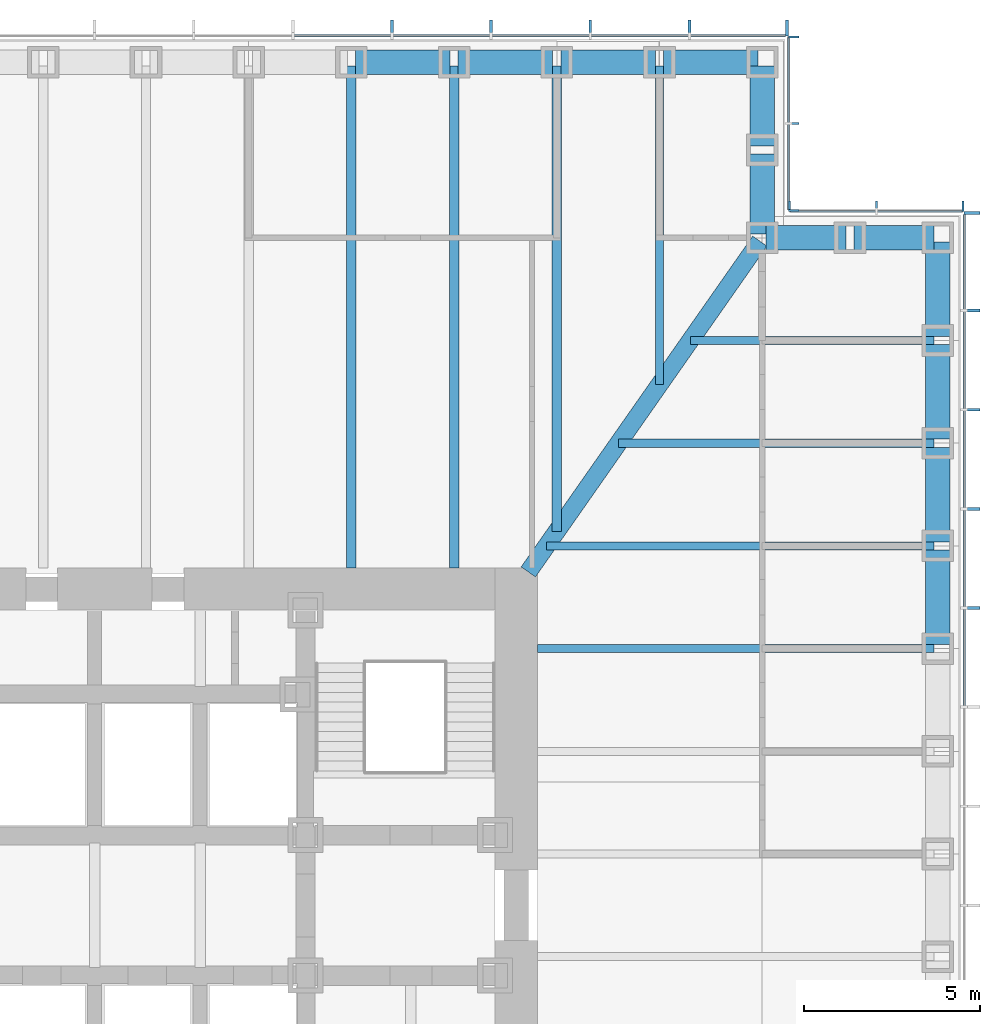
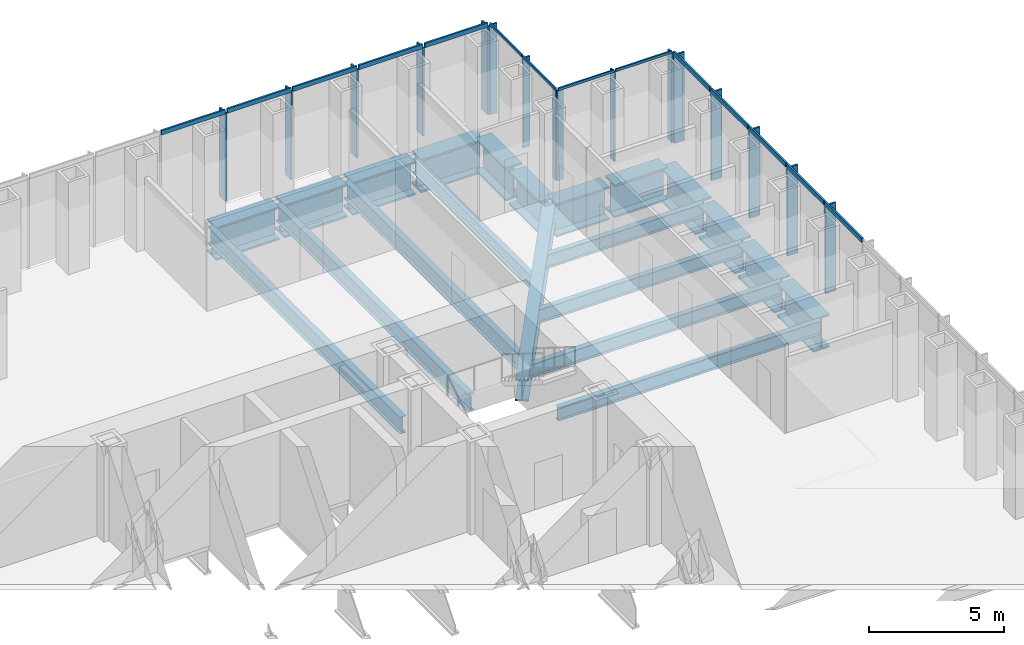
# One storey, part 6 of 17: 30 members, 21 beams, 4 elements without a shape of their own.
"""IFC4 building model written with IfcOpenShell, lengths in metres."""

from ifc_helpers import new_model, si_unit, direction, frame, origin, origin_2d, place, context, subcontext, project, spatial, rectangle, i_section, extrude, material, material_profile, profile_set, type_object, element, aggregate, save


model = new_model("IFC4")

# Units and contexts
model_context = context("Model", 3, precision=1e-05, world=origin(), true_north=direction((0.0, 1.0)))
body_context = subcontext(model_context, "Body", "Model", "MODEL_VIEW")
ifc_project = project(units=[si_unit("LENGTHUNIT", "METRE"), si_unit("AREAUNIT", "SQUARE_METRE"), si_unit("VOLUMEUNIT", "CUBIC_METRE"), si_unit("PLANEANGLEUNIT", "RADIAN"), si_unit("MASSUNIT", "GRAM", prefix="KILO")], contexts=[model_context])

# Site, building, storey
site_placement = place(None, origin())
site = spatial("IfcSite", under=ifc_project, at=site_placement, CompositionType="ELEMENT")
building_placement = place(site_placement, origin())
building = spatial("IfcBuilding", under=site, at=building_placement, Name="Daluyong Arena Tower", CompositionType="ELEMENT")
storey_placement = place(building_placement, frame((0.0, 0.0, 55.89990234375)))
storey = spatial("IfcBuildingStorey", under=building, at=storey_placement, Name="L11", CompositionType="ELEMENT", Elevation=55.89990234375)

# Curtain wall, members
ifc_material_1 = material(Name="Bronze anodised aluminium and glass", Category="aluminium")
curtain_wall_type_1 = type_object("IfcCurtainWallType", Name="Curtain wall CW1", PredefinedType="USERDEFINED", material=ifc_material_1)
curtain_wall_1_placement = place(storey_placement, origin())
curtain_wall_1 = element("IfcCurtainWall", 1, at=curtain_wall_1_placement, inside=storey, type_object=curtain_wall_type_1, Name="curtain wall L11 E", ObjectType="UNITISED CURTAIN WALL", PredefinedType="USERDEFINED")
ifc_material_2 = material(Name="Bronze anodised aluminium fin", Category="aluminium")
ifc_material_profile_1 = material_profile(ifc_material_2, rectangle(XDim=0.449951171875, YDim=0.080078125, at=origin_2d()))
ifc_profile_set_1 = profile_set([ifc_material_profile_1], Name="Bronze anodised aluminium fin")
member_type_1 = type_object("IfcMemberType", Name="CW1 bronze fin 450x80", PredefinedType="MULLION", material=ifc_profile_set_1)
member_1_placement = place(storey_placement, frame((80.97509765625, 88.46435546875, 0.0), z_axis=(0.0, 0.0, 1.0), x_axis=(-1.0, 0.0, 0.0)))
member_1 = element("IfcMember", 2, at=member_1_placement, type_object=member_type_1, Name="curtain wall L11 E fin 11", PredefinedType="MULLION", context=body_context, shape_type="SweptSolid", body=[
    extrude(rectangle(XDim=0.449951171875, YDim=0.080078125, at=origin_2d()), origin(), (0.0, 0.0, 1.0), 4.0),
])
member_2_placement = place(storey_placement, frame((80.97509765625, 91.28564453125, 0.0), z_axis=(0.0, 0.0, 1.0), x_axis=(-1.0, 0.0, 0.0)))
member_2 = element("IfcMember", 3, at=member_2_placement, type_object=member_type_1, Name="curtain wall L11 E fin 12", PredefinedType="MULLION", context=body_context, shape_type="SweptSolid", body=[
    extrude(rectangle(XDim=0.449951171875, YDim=0.080078125, at=origin_2d()), origin(), (0.0, 0.0, 1.0), 4.0),
])
member_3_placement = place(storey_placement, frame((80.97509765625, 94.107177734375, 0.0), z_axis=(0.0, 0.0, 1.0), x_axis=(-1.0, 0.0, 0.0)))
member_3 = element("IfcMember", 4, at=member_3_placement, type_object=member_type_1, Name="curtain wall L11 E fin 13", PredefinedType="MULLION", context=body_context, shape_type="SweptSolid", body=[
    extrude(rectangle(XDim=0.449951171875, YDim=0.080078125, at=origin_2d()), origin(), (0.0, 0.0, 1.0), 4.0),
])
member_4_placement = place(storey_placement, frame((80.97509765625, 96.928466796875, 0.0), z_axis=(0.0, 0.0, 1.0), x_axis=(-1.0, 0.0, 0.0)))
member_4 = element("IfcMember", 5, at=member_4_placement, type_object=member_type_1, Name="curtain wall L11 E fin 14", PredefinedType="MULLION", context=body_context, shape_type="SweptSolid", body=[
    extrude(rectangle(XDim=0.449951171875, YDim=0.080078125, at=origin_2d()), origin(), (0.0, 0.0, 1.0), 4.0),
])
member_5_placement = place(storey_placement, frame((80.97509765625, 99.7099609375, 0.0), z_axis=(0.0, 0.0, 1.0), x_axis=(-1.0, 0.0, 0.0)))
member_5 = element("IfcMember", 6, at=member_5_placement, type_object=member_type_1, Name="curtain wall L11 E fin 15", PredefinedType="MULLION", context=body_context, shape_type="SweptSolid", body=[
    extrude(rectangle(XDim=0.449951171875, YDim=0.080078125, at=origin_2d()), origin(), (0.0, 0.0, 1.0), 4.0),
])

curtain_wall_2_placement = place(storey_placement, origin())
curtain_wall_2 = element("IfcCurtainWall", 7, at=curtain_wall_2_placement, inside=storey, type_object=curtain_wall_type_1, Name="curtain wall L11 N", ObjectType="UNITISED CURTAIN WALL", PredefinedType="USERDEFINED")
member_6_placement = place(storey_placement, frame((75.7099609375, 104.97509765625, 0.0), z_axis=(0.0, 0.0, 1.0), x_axis=(0.0, -1.0, 0.0)))
member_6 = element("IfcMember", 8, at=member_6_placement, type_object=member_type_1, Name="curtain wall L11 N fin 1", PredefinedType="MULLION", context=body_context, shape_type="SweptSolid", body=[
    extrude(rectangle(XDim=0.449951171875, YDim=0.080078125, at=origin_2d()), origin(), (0.0, 0.0, 1.0), 4.0),
])
member_7_placement = place(storey_placement, frame((72.928466796875, 104.97509765625, 0.0), z_axis=(0.0, 0.0, 1.0), x_axis=(0.0, -1.0, 0.0)))
member_7 = element("IfcMember", 9, at=member_7_placement, type_object=member_type_1, Name="curtain wall L11 N fin 2", PredefinedType="MULLION", context=body_context, shape_type="SweptSolid", body=[
    extrude(rectangle(XDim=0.449951171875, YDim=0.080078125, at=origin_2d()), origin(), (0.0, 0.0, 1.0), 4.0),
])
member_8_placement = place(storey_placement, frame((70.107177734375, 104.97509765625, 0.0), z_axis=(0.0, 0.0, 1.0), x_axis=(0.0, -1.0, 0.0)))
member_8 = element("IfcMember", 10, at=member_8_placement, type_object=member_type_1, Name="curtain wall L11 N fin 3", PredefinedType="MULLION", context=body_context, shape_type="SweptSolid", body=[
    extrude(rectangle(XDim=0.449951171875, YDim=0.080078125, at=origin_2d()), origin(), (0.0, 0.0, 1.0), 4.0),
])
member_9_placement = place(storey_placement, frame((67.28564453125, 104.97509765625, 0.0), z_axis=(0.0, 0.0, 1.0), x_axis=(0.0, -1.0, 0.0)))
member_9 = element("IfcMember", 11, at=member_9_placement, type_object=member_type_1, Name="curtain wall L11 N fin 4", PredefinedType="MULLION", context=body_context, shape_type="SweptSolid", body=[
    extrude(rectangle(XDim=0.449951171875, YDim=0.080078125, at=origin_2d()), origin(), (0.0, 0.0, 1.0), 4.0),
])
member_10_placement = place(storey_placement, frame((64.46435546875, 104.97509765625, 0.0), z_axis=(0.0, 0.0, 1.0), x_axis=(0.0, -1.0, 0.0)))
member_10 = element("IfcMember", 12, at=member_10_placement, type_object=member_type_1, Name="curtain wall L11 N fin 5", PredefinedType="MULLION", context=body_context, shape_type="SweptSolid", body=[
    extrude(rectangle(XDim=0.449951171875, YDim=0.080078125, at=origin_2d()), origin(), (0.0, 0.0, 1.0), 4.0),
])

# Member
ifc_material_3 = material(Name="Bronze anodised aluminium", Category="aluminium")
ifc_material_profile_2 = material_profile(ifc_material_3, rectangle(XDim=0.080078125, YDim=0.199951171875, at=origin_2d()))
ifc_profile_set_2 = profile_set([ifc_material_profile_2], Name="Bronze anodised aluminium")
member_type_2 = type_object("IfcMemberType", Name="CW1 stack transom 200x80", PredefinedType="USERDEFINED", material=ifc_profile_set_2)
member_11_placement = place(storey_placement, frame((80.75, 85.682861328125, 4.10009765625), z_axis=(0.0, 1.0, 0.0), x_axis=(-1.0, 0.0, 0.0)))
member_11 = element("IfcMember", 13, at=member_11_placement, type_object=member_type_2, Name="curtain wall L11 E transom 10", ObjectType="TRANSOM", PredefinedType="USERDEFINED", context=body_context, shape_type="SweptSolid", body=[
    extrude(rectangle(XDim=0.080078125, YDim=0.199951171875, at=origin_2d()), origin(), (0.0, 0.0, 1.0), 2.741455078125),
])

member_12_placement = place(storey_placement, frame((80.75, 88.50439453125, 4.10009765625), z_axis=(0.0, 1.0, 0.0), x_axis=(-1.0, 0.0, 0.0)))
member_12 = element("IfcMember", 14, at=member_12_placement, type_object=member_type_2, Name="curtain wall L11 E transom 11", ObjectType="TRANSOM", PredefinedType="USERDEFINED", context=body_context, shape_type="SweptSolid", body=[
    extrude(rectangle(XDim=0.080078125, YDim=0.199951171875, at=origin_2d()), origin(), (0.0, 0.0, 1.0), 2.7412109375),
])

member_13_placement = place(storey_placement, frame((80.75, 91.32568359375, 4.10009765625), z_axis=(0.0, 1.0, 0.0), x_axis=(-1.0, 0.0, 0.0)))
member_13 = element("IfcMember", 15, at=member_13_placement, type_object=member_type_2, Name="curtain wall L11 E transom 12", ObjectType="TRANSOM", PredefinedType="USERDEFINED", context=body_context, shape_type="SweptSolid", body=[
    extrude(rectangle(XDim=0.080078125, YDim=0.199951171875, at=origin_2d()), origin(), (0.0, 0.0, 1.0), 2.741455078125),
])

member_14_placement = place(storey_placement, frame((80.75, 94.147216796875, 4.10009765625), z_axis=(0.0, 1.0, 0.0), x_axis=(-1.0, 0.0, 0.0)))
member_14 = element("IfcMember", 16, at=member_14_placement, type_object=member_type_2, Name="curtain wall L11 E transom 13", ObjectType="TRANSOM", PredefinedType="USERDEFINED", context=body_context, shape_type="SweptSolid", body=[
    extrude(rectangle(XDim=0.080078125, YDim=0.199951171875, at=origin_2d()), origin(), (0.0, 0.0, 1.0), 2.741455078125),
])

member_15_placement = place(storey_placement, frame((80.75, 96.968505859375, 4.10009765625), z_axis=(0.0, 1.0, 0.0), x_axis=(-1.0, 0.0, 0.0)))
member_15 = element("IfcMember", 17, at=member_15_placement, type_object=member_type_2, Name="curtain wall L11 E transom 14", ObjectType="TRANSOM", PredefinedType="USERDEFINED", context=body_context, shape_type="SweptSolid", body=[
    extrude(rectangle(XDim=0.080078125, YDim=0.199951171875, at=origin_2d()), origin(), (0.0, 0.0, 1.0), 2.701416015625),
])

aggregate(curtain_wall_1, [member_1, member_2, member_3, member_4, member_5, member_11, member_12, member_13, member_14, member_15])

member_16_placement = place(storey_placement, frame((75.669921875, 104.75, 4.10009765625), z_axis=(-1.0, 0.0, 0.0), x_axis=(0.0, -1.0, 0.0)))
member_16 = element("IfcMember", 18, at=member_16_placement, type_object=member_type_2, Name="curtain wall L11 N transom 1", ObjectType="TRANSOM", PredefinedType="USERDEFINED", context=body_context, shape_type="SweptSolid", body=[
    extrude(rectangle(XDim=0.080078125, YDim=0.199951171875, at=origin_2d()), origin(), (0.0, 0.0, 1.0), 2.701416015625),
])

member_17_placement = place(storey_placement, frame((72.888671875, 104.75, 4.10009765625), z_axis=(-1.0, 0.0, 0.0), x_axis=(0.0, -1.0, 0.0)))
member_17 = element("IfcMember", 19, at=member_17_placement, type_object=member_type_2, Name="curtain wall L11 N transom 2", ObjectType="TRANSOM", PredefinedType="USERDEFINED", context=body_context, shape_type="SweptSolid", body=[
    extrude(rectangle(XDim=0.080078125, YDim=0.199951171875, at=origin_2d()), origin(), (0.0, 0.0, 1.0), 2.741455078125),
])

member_18_placement = place(storey_placement, frame((70.067138671875, 104.75, 4.10009765625), z_axis=(-1.0, 0.0, 0.0), x_axis=(0.0, -1.0, 0.0)))
member_18 = element("IfcMember", 20, at=member_18_placement, type_object=member_type_2, Name="curtain wall L11 N transom 3", ObjectType="TRANSOM", PredefinedType="USERDEFINED", context=body_context, shape_type="SweptSolid", body=[
    extrude(rectangle(XDim=0.080078125, YDim=0.199951171875, at=origin_2d()), origin(), (0.0, 0.0, 1.0), 2.741455078125),
])

member_19_placement = place(storey_placement, frame((67.24560546875, 104.75, 4.10009765625), z_axis=(-1.0, 0.0, 0.0), x_axis=(0.0, -1.0, 0.0)))
member_19 = element("IfcMember", 21, at=member_19_placement, type_object=member_type_2, Name="curtain wall L11 N transom 4", ObjectType="TRANSOM", PredefinedType="USERDEFINED", context=body_context, shape_type="SweptSolid", body=[
    extrude(rectangle(XDim=0.080078125, YDim=0.199951171875, at=origin_2d()), origin(), (0.0, 0.0, 1.0), 2.7412109375),
])

member_20_placement = place(storey_placement, frame((64.42431640625, 104.75, 4.10009765625), z_axis=(-1.0, 0.0, 0.0), x_axis=(0.0, -1.0, 0.0)))
member_20 = element("IfcMember", 22, at=member_20_placement, type_object=member_type_2, Name="curtain wall L11 N transom 5", ObjectType="TRANSOM", PredefinedType="USERDEFINED", context=body_context, shape_type="SweptSolid", body=[
    extrude(rectangle(XDim=0.080078125, YDim=0.199951171875, at=origin_2d()), origin(), (0.0, 0.0, 1.0), 2.741455078125),
])

aggregate(curtain_wall_2, [member_6, member_7, member_8, member_9, member_10, member_16, member_17, member_18, member_19, member_20])

# Curtain wall, members
ifc_material_4 = material(Name="Bronze anodised aluminium and glass", Category="aluminium")
curtain_wall_type_2 = type_object("IfcCurtainWallType", Name="Curtain wall CW7", PredefinedType="USERDEFINED", material=ifc_material_4)
curtain_wall_3_placement = place(storey_placement, origin())
curtain_wall_3 = element("IfcCurtainWall", 23, at=curtain_wall_3_placement, inside=storey, type_object=curtain_wall_type_2, Name="curtain wall L11 NE-N", ObjectType="UNITISED CURTAIN WALL", PredefinedType="USERDEFINED")
ifc_material_5 = material(Name="Bronze anodised aluminium fin", Category="aluminium")
ifc_material_profile_3 = material_profile(ifc_material_5, rectangle(XDim=0.300048828125, YDim=0.06005859375, at=origin_2d()))
ifc_profile_set_3 = profile_set([ifc_material_profile_3], Name="Bronze anodised aluminium fin")
member_type_3 = type_object("IfcMemberType", Name="CW7 bronze fin 300x60", PredefinedType="MULLION", material=ifc_profile_set_3)
member_21_placement = place(storey_placement, frame((80.719970703125, 99.89990234375, 0.0), z_axis=(0.0, 0.0, 1.0), x_axis=(0.0, -1.0, 0.0)))
member_21 = element("IfcMember", 24, at=member_21_placement, type_object=member_type_3, Name="curtain wall L11 NE-N fin 1", PredefinedType="MULLION", context=body_context, shape_type="SweptSolid", body=[
    extrude(rectangle(XDim=0.300048828125, YDim=0.06005859375, at=origin_2d()), origin(), (0.0, 0.0, 1.0), 4.080078125),
])
member_22_placement = place(storey_placement, frame((78.25, 99.89990234375, 0.0), z_axis=(0.0, 0.0, 1.0), x_axis=(0.0, -1.0, 0.0)))
member_22 = element("IfcMember", 25, at=member_22_placement, type_object=member_type_3, Name="curtain wall L11 NE-N fin 2", PredefinedType="MULLION", context=body_context, shape_type="SweptSolid", body=[
    extrude(rectangle(XDim=0.300048828125, YDim=0.06005859375, at=origin_2d()), origin(), (0.0, 0.0, 1.0), 4.080078125),
])
member_23_placement = place(storey_placement, frame((75.780029296875, 99.89990234375, 0.0), z_axis=(0.0, 0.0, 1.0), x_axis=(0.0, -1.0, 0.0)))
member_23 = element("IfcMember", 26, at=member_23_placement, type_object=member_type_3, Name="curtain wall L11 NE-N fin 3", PredefinedType="MULLION", context=body_context, shape_type="SweptSolid", body=[
    extrude(rectangle(XDim=0.300048828125, YDim=0.06005859375, at=origin_2d()), origin(), (0.0, 0.0, 1.0), 4.080078125),
])

curtain_wall_4_placement = place(storey_placement, origin())
curtain_wall_4 = element("IfcCurtainWall", 27, at=curtain_wall_4_placement, inside=storey, type_object=curtain_wall_type_2, Name="curtain wall L11 NE-E", ObjectType="UNITISED CURTAIN WALL", PredefinedType="USERDEFINED")
member_24_placement = place(storey_placement, frame((75.89990234375, 99.780029296875, 0.0), z_axis=(0.0, 0.0, 1.0), x_axis=(-1.0, 0.0, 0.0)))
member_24 = element("IfcMember", 28, at=member_24_placement, type_object=member_type_3, Name="curtain wall L11 NE-E fin 1", PredefinedType="MULLION", context=body_context, shape_type="SweptSolid", body=[
    extrude(rectangle(XDim=0.300048828125, YDim=0.06005859375, at=origin_2d()), origin(), (0.0, 0.0, 1.0), 4.080078125),
])
member_25_placement = place(storey_placement, frame((75.89990234375, 102.25, 0.0), z_axis=(0.0, 0.0, 1.0), x_axis=(-1.0, 0.0, 0.0)))
member_25 = element("IfcMember", 29, at=member_25_placement, type_object=member_type_3, Name="curtain wall L11 NE-E fin 2", PredefinedType="MULLION", context=body_context, shape_type="SweptSolid", body=[
    extrude(rectangle(XDim=0.300048828125, YDim=0.06005859375, at=origin_2d()), origin(), (0.0, 0.0, 1.0), 4.080078125),
])
member_26_placement = place(storey_placement, frame((75.89990234375, 104.719970703125, 0.0), z_axis=(0.0, 0.0, 1.0), x_axis=(-1.0, 0.0, 0.0)))
member_26 = element("IfcMember", 30, at=member_26_placement, type_object=member_type_3, Name="curtain wall L11 NE-E fin 3", PredefinedType="MULLION", context=body_context, shape_type="SweptSolid", body=[
    extrude(rectangle(XDim=0.300048828125, YDim=0.06005859375, at=origin_2d()), origin(), (0.0, 0.0, 1.0), 4.080078125),
])

# Member
ifc_material_6 = material(Name="Bronze anodised aluminium", Category="aluminium")
ifc_material_profile_4 = material_profile(ifc_material_6, rectangle(XDim=0.06005859375, YDim=0.1201171875, at=origin_2d()))
ifc_profile_set_4 = profile_set([ifc_material_profile_4], Name="Bronze anodised aluminium")
member_type_4 = type_object("IfcMemberType", Name="CW7 stack transom 120x60", PredefinedType="USERDEFINED", material=ifc_profile_set_4)
member_27_placement = place(storey_placement, frame((80.68994140625, 99.75, 4.14013671875), z_axis=(-1.0, 0.0, 0.0), x_axis=(0.0, -1.0, 0.0)))
member_27 = element("IfcMember", 31, at=member_27_placement, type_object=member_type_4, Name="curtain wall L11 NE-N transom 1", ObjectType="TRANSOM", PredefinedType="USERDEFINED", context=body_context, shape_type="SweptSolid", body=[
    extrude(rectangle(XDim=0.06005859375, YDim=0.1201171875, at=origin_2d()), origin(), (0.0, 0.0, 1.0), 2.409912109375),
])

member_28_placement = place(storey_placement, frame((78.219970703125, 99.75, 4.14013671875), z_axis=(-1.0, 0.0, 0.0), x_axis=(0.0, -1.0, 0.0)))
member_28 = element("IfcMember", 32, at=member_28_placement, type_object=member_type_4, Name="curtain wall L11 NE-N transom 2", ObjectType="TRANSOM", PredefinedType="USERDEFINED", context=body_context, shape_type="SweptSolid", body=[
    extrude(rectangle(XDim=0.06005859375, YDim=0.1201171875, at=origin_2d()), origin(), (0.0, 0.0, 1.0), 2.409912109375),
])

aggregate(curtain_wall_3, [member_21, member_22, member_23, member_27, member_28])

member_29_placement = place(storey_placement, frame((75.75, 99.81005859375, 4.14013671875), z_axis=(0.0, 1.0, 0.0), x_axis=(-1.0, 0.0, 0.0)))
member_29 = element("IfcMember", 33, at=member_29_placement, type_object=member_type_4, Name="curtain wall L11 NE-E transom 1", ObjectType="TRANSOM", PredefinedType="USERDEFINED", context=body_context, shape_type="SweptSolid", body=[
    extrude(rectangle(XDim=0.06005859375, YDim=0.1201171875, at=origin_2d()), origin(), (0.0, 0.0, 1.0), 2.409912109375),
])

member_30_placement = place(storey_placement, frame((75.75, 102.280029296875, 4.14013671875), z_axis=(0.0, 1.0, 0.0), x_axis=(-1.0, 0.0, 0.0)))
member_30 = element("IfcMember", 34, at=member_30_placement, type_object=member_type_4, Name="curtain wall L11 NE-E transom 2", ObjectType="TRANSOM", PredefinedType="USERDEFINED", context=body_context, shape_type="SweptSolid", body=[
    extrude(rectangle(XDim=0.06005859375, YDim=0.1201171875, at=origin_2d()), origin(), (0.0, 0.0, 1.0), 2.409912109375),
])

aggregate(curtain_wall_4, [member_24, member_25, member_26, member_29, member_30])

# Beams
ifc_material_7 = material(Name="Steel ASTM A572 Grade 50", Category="steel")
ifc_material_profile_5 = material_profile(ifc_material_7, i_section(OverallWidth=0.5, OverallDepth=1.0, WebThickness=0.03, FlangeThickness=0.06, at=origin_2d()))
ifc_profile_set_5 = profile_set([ifc_material_profile_5], Name="Steel ASTM A572 Grade 50")
beam_type_1 = type_object("IfcBeamType", Name="Corner girder TB1000X500", PredefinedType="BEAM", material=ifc_profile_set_5)
beam_1_placement = place(storey_placement, frame((74.93408203125, 98.90576171875, -0.659912109375), z_axis=(-0.573466621875, -0.819228926244, 0.0), x_axis=(0.819228926244, -0.573466621875, 0.0)))
element("IfcBeam", 35, at=beam_1_placement, inside=storey, type_object=beam_type_1, Name="corner girder DG2", PredefinedType="BEAM", context=body_context, shape_type="SweptSolid", body=[
    extrude(i_section(OverallWidth=0.5, OverallDepth=1.0, WebThickness=0.03, FlangeThickness=0.06, at=origin_2d()), origin(), (0.0, 0.0, 1.0), 11.49169921875),
])
ifc_material_8 = material(Name="Steel ASTM A992 Grade 50", Category="steel")
ifc_material_profile_6 = material_profile(ifc_material_8, i_section(OverallWidth=0.22900390625, OverallDepth=0.612060546875, WebThickness=0.011962890625, FlangeThickness=0.01953125, at=origin_2d()))
ifc_profile_set_6 = profile_set([ifc_material_profile_6], Name="Steel ASTM A992 Grade 50")
beam_type_2 = type_object("IfcBeamType", Name="Floor beam W24X84", PredefinedType="BEAM", material=ifc_profile_set_6)
beam_2_placement = place(storey_placement, frame((79.885009765625, 87.3076171875, -0.466064453125), z_axis=(-1.0, 0.0, 0.0), x_axis=(0.0, -1.0, 0.0)))
element("IfcBeam", 36, at=beam_2_placement, inside=storey, type_object=beam_type_2, Name="floor beam FB3", PredefinedType="BEAM", context=body_context, shape_type="SweptSolid", body=[
    extrude(i_section(OverallWidth=0.22900390625, OverallDepth=0.612060546875, WebThickness=0.011962890625, FlangeThickness=0.01953125, at=origin_2d()), origin(), (0.0, 0.0, 1.0), 11.284912109375),
])
beam_3_placement = place(storey_placement, frame((79.885009765625, 90.230712890625, -0.466064453125), z_axis=(-1.0, 0.0, 0.0), x_axis=(0.0, -1.0, 0.0)))
element("IfcBeam", 37, at=beam_3_placement, inside=storey, type_object=beam_type_2, Name="floor beam FB3", PredefinedType="BEAM", context=body_context, shape_type="SweptSolid", body=[
    extrude(i_section(OverallWidth=0.22900390625, OverallDepth=0.612060546875, WebThickness=0.011962890625, FlangeThickness=0.01953125, at=origin_2d()), origin(), (0.0, 0.0, 1.0), 11.0234375),
])
beam_4_placement = place(storey_placement, frame((79.885009765625, 93.15380859375, -0.466064453125), z_axis=(-1.0, 0.0, 0.0), x_axis=(0.0, -1.0, 0.0)))
element("IfcBeam", 38, at=beam_4_placement, inside=storey, type_object=beam_type_2, Name="floor beam FB3", PredefinedType="BEAM", context=body_context, shape_type="SweptSolid", body=[
    extrude(i_section(OverallWidth=0.22900390625, OverallDepth=0.612060546875, WebThickness=0.011962890625, FlangeThickness=0.01953125, at=origin_2d()), origin(), (0.0, 0.0, 1.0), 8.977294921875),
])
beam_5_placement = place(storey_placement, frame((79.885009765625, 96.076904296875, -0.466064453125), z_axis=(-1.0, 0.0, 0.0), x_axis=(0.0, -1.0, 0.0)))
element("IfcBeam", 39, at=beam_5_placement, inside=storey, type_object=beam_type_2, Name="floor beam FB3", PredefinedType="BEAM", context=body_context, shape_type="SweptSolid", body=[
    extrude(i_section(OverallWidth=0.22900390625, OverallDepth=0.612060546875, WebThickness=0.011962890625, FlangeThickness=0.01953125, at=origin_2d()), origin(), (0.0, 0.0, 1.0), 6.93115234375),
])
beam_6_placement = place(storey_placement, frame((72.076904296875, 103.885009765625, -0.466064453125), z_axis=(0.0, -1.0, 0.0), x_axis=(1.0, 0.0, 0.0)))
element("IfcBeam", 40, at=beam_6_placement, inside=storey, type_object=beam_type_2, Name="floor beam FB3", PredefinedType="BEAM", context=body_context, shape_type="SweptSolid", body=[
    extrude(i_section(OverallWidth=0.22900390625, OverallDepth=0.612060546875, WebThickness=0.011962890625, FlangeThickness=0.01953125, at=origin_2d()), origin(), (0.0, 0.0, 1.0), 9.060791015625),
])
ifc_material_9 = material(Name="Steel ASTM A992 Grade 50", Category="steel")
ifc_material_profile_7 = material_profile(ifc_material_9, i_section(OverallWidth=0.2666015625, OverallDepth=0.761962890625, WebThickness=0.014404296875, FlangeThickness=0.021484375, at=origin_2d()))
ifc_profile_set_7 = profile_set([ifc_material_profile_7], Name="Steel ASTM A992 Grade 50")
beam_type_3 = type_object("IfcBeamType", Name="Floor beam W30X116", PredefinedType="BEAM", material=ifc_profile_set_7)
beam_7_placement = place(storey_placement, frame((69.15380859375, 103.885009765625, -0.541015625), z_axis=(0.0, -1.0, 0.0), x_axis=(1.0, 0.0, 0.0)))
element("IfcBeam", 41, at=beam_7_placement, inside=storey, type_object=beam_type_3, Name="floor beam FB4", PredefinedType="BEAM", context=body_context, shape_type="SweptSolid", body=[
    extrude(i_section(OverallWidth=0.2666015625, OverallDepth=0.761962890625, WebThickness=0.014404296875, FlangeThickness=0.021484375, at=origin_2d()), origin(), (0.0, 0.0, 1.0), 13.236572265625),
])
for number, where, z_axis, x_axis, name in (
    (42, (66.230712890625, 103.885009765625, -0.541015625), (0.0, -1.0, 0.0), (1.0, 0.0, 0.0), "floor beam FB4"),
    (43, (63.3076171875, 103.885009765625, -0.541015625), (0.0, -1.0, 0.0), (1.0, 0.0, 0.0), "floor beam FB4"),
):
    element("IfcBeam", number, at=place(storey_placement, frame(where, z_axis=z_axis, x_axis=x_axis)), inside=storey, type_object=beam_type_3, Name=name, PredefinedType="BEAM", context=body_context, shape_type="SweptSolid", body=[
        extrude(i_section(OverallWidth=0.2666015625, OverallDepth=0.761962890625, WebThickness=0.014404296875, FlangeThickness=0.021484375, at=origin_2d()), origin(), (0.0, 0.0, 1.0), 14.284912109375),
    ])
ifc_material_10 = material(Name="Steel ASTM A572 Grade 50", Category="steel")
ifc_material_profile_8 = material_profile(ifc_material_10, i_section(OverallWidth=0.699951171875, OverallDepth=1.5, WebThickness=0.04, FlangeThickness=0.08, at=origin_2d()))
ifc_profile_set_8 = profile_set([ifc_material_profile_8], Name="Steel ASTM A572 Grade 50")
beam_type_4 = type_object("IfcBeamType", Name="Spandrel Z1 PG1500X700", PredefinedType="SPANDREL", material=ifc_profile_set_8)
for number, where, z_axis, x_axis, name in (
    (44, (80.0, 87.422607421875, -0.909912109375), (0.0, 1.0, 0.0), (-1.0, 0.0, 0.0), "spandrel z1 SB4"),
    (45, (80.0, 90.345703125, -0.909912109375), (0.0, 1.0, 0.0), (-1.0, 0.0, 0.0), "spandrel z1 SB4"),
    (46, (80.0, 93.268798828125, -0.909912109375), (0.0, 1.0, 0.0), (-1.0, 0.0, 0.0), "spandrel z1 SB4"),
    (47, (80.0, 96.19189453125, -0.909912109375), (0.0, 1.0, 0.0), (-1.0, 0.0, 0.0), "spandrel z1 SB4"),
):
    element("IfcBeam", number, at=place(storey_placement, frame(where, z_axis=z_axis, x_axis=x_axis)), inside=storey, type_object=beam_type_4, Name=name, PredefinedType="SPANDREL", context=body_context, shape_type="SweptSolid", body=[
        extrude(i_section(OverallWidth=0.699951171875, OverallDepth=1.5, WebThickness=0.04, FlangeThickness=0.08, at=origin_2d()), origin(), (0.0, 0.0, 1.0), 2.693115234375),
    ])
for number, where, z_axis, x_axis, name in (
    (48, (79.885009765625, 99.0, -0.909912109375), (-1.0, 0.0, 0.0), (0.0, -1.0, 0.0), "spandrel z1 SB4"),
    (49, (77.385009765625, 99.0, -0.909912109375), (-1.0, 0.0, 0.0), (0.0, -1.0, 0.0), "spandrel z1 SB4"),
    (50, (75.0, 99.114990234375, -0.909912109375), (0.0, 1.0, 0.0), (-1.0, 0.0, 0.0), "spandrel z1 SB4"),
    (51, (75.0, 101.614990234375, -0.909912109375), (0.0, 1.0, 0.0), (-1.0, 0.0, 0.0), "spandrel z1 SB4"),
):
    element("IfcBeam", number, at=place(storey_placement, frame(where, z_axis=z_axis, x_axis=x_axis)), inside=storey, type_object=beam_type_4, Name=name, PredefinedType="SPANDREL", context=body_context, shape_type="SweptSolid", body=[
        extrude(i_section(OverallWidth=0.699951171875, OverallDepth=1.5, WebThickness=0.04, FlangeThickness=0.08, at=origin_2d()), origin(), (0.0, 0.0, 1.0), 2.27001953125),
    ])
for number, where, z_axis, x_axis, name in (
    (52, (74.885009765625, 104.0, -0.909912109375), (-1.0, 0.0, 0.0), (0.0, -1.0, 0.0), "spandrel z1 SB4"),
    (53, (71.9619140625, 104.0, -0.909912109375), (-1.0, 0.0, 0.0), (0.0, -1.0, 0.0), "spandrel z1 SB4"),
    (54, (69.038818359375, 104.0, -0.909912109375), (-1.0, 0.0, 0.0), (0.0, -1.0, 0.0), "spandrel z1 SB4"),
    (55, (66.11572265625, 104.0, -0.909912109375), (-1.0, 0.0, 0.0), (0.0, -1.0, 0.0), "spandrel z1 SB4"),
):
    element("IfcBeam", number, at=place(storey_placement, frame(where, z_axis=z_axis, x_axis=x_axis)), inside=storey, type_object=beam_type_4, Name=name, PredefinedType="SPANDREL", context=body_context, shape_type="SweptSolid", body=[
        extrude(i_section(OverallWidth=0.699951171875, OverallDepth=1.5, WebThickness=0.04, FlangeThickness=0.08, at=origin_2d()), origin(), (0.0, 0.0, 1.0), 2.693115234375),
    ])

save(model, "model.ifc")
